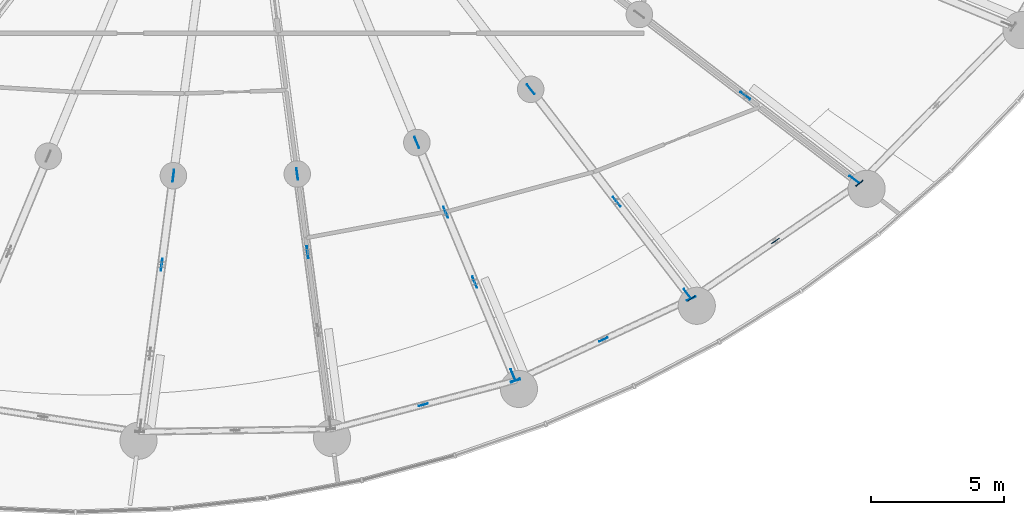
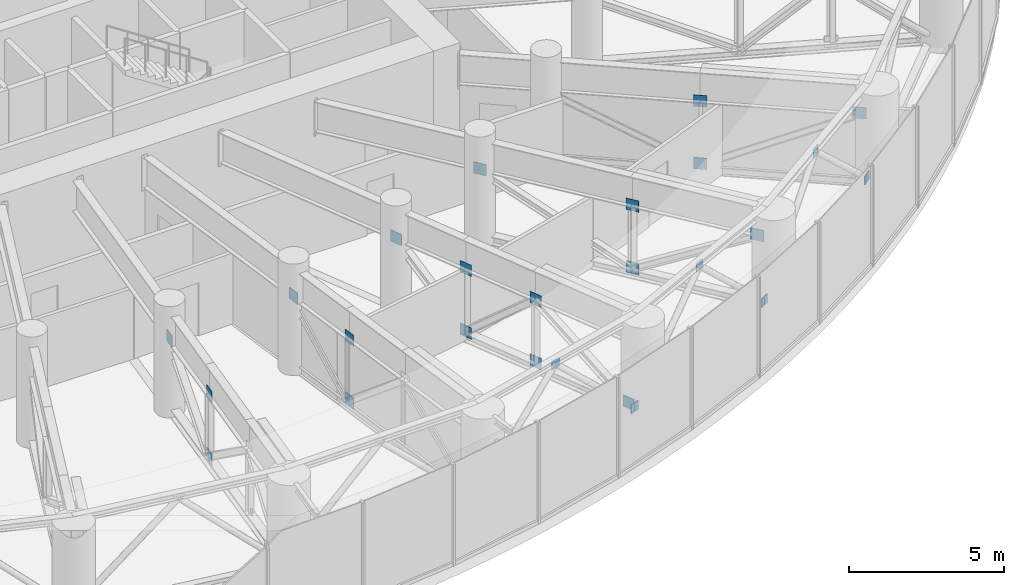
# One storey, part 30 of 42: 28 discrete accessories.
"""IFC4 building model written with IfcOpenShell, lengths in metres."""

from ifc_helpers import new_model, si_unit, direction, frame, origin, origin_2d, place, context, subcontext, project, spatial, rectangle, extrude, source, transform, mapped, material, layer, layer_set, type_object, element, save


model = new_model("IFC4")

# Units and contexts
model_context = context("Model", 3, precision=1e-05, world=origin(), true_north=direction((0.0, 1.0)))
body_context = subcontext(model_context, "Body", "Model", "MODEL_VIEW")
ifc_project = project(units=[si_unit("LENGTHUNIT", "METRE"), si_unit("AREAUNIT", "SQUARE_METRE"), si_unit("VOLUMEUNIT", "CUBIC_METRE"), si_unit("PLANEANGLEUNIT", "RADIAN"), si_unit("MASSUNIT", "GRAM", prefix="KILO")], contexts=[model_context])

# Site, building, storey
site_placement = place(None, origin())
site = spatial("IfcSite", under=ifc_project, at=site_placement, CompositionType="ELEMENT")
building_placement = place(site_placement, origin())
building = spatial("IfcBuilding", under=site, at=building_placement, Name="Spindrift Exchange Tower", CompositionType="ELEMENT")
storey_placement = place(building_placement, frame((0.0, 0.0, 75.39990234375)))
storey = spatial("IfcBuildingStorey", under=building, at=storey_placement, Name="L17", CompositionType="ELEMENT", Elevation=75.39990234375)

# Discrete accessories
ifc_material = material(Name="Steel Grade 350", Category="steel")
ifc_layer_1 = layer(ifc_material, 0.02490234375)
ifc_layer_set_1 = layer_set([ifc_layer_1], Name="Gusset plate 450x450x25 Steel Grade 350")
discrete_accessory_type_1 = type_object("IfcDiscreteAccessoryType", Name="Gusset plate 450x450x25 Steel Grade 350", PredefinedType="USERDEFINED", material=ifc_layer_set_1)
shared_shape_1 = source(origin(), body_context, "Body", "SweptSolid", [
    extrude(rectangle(XDim=0.449951171875, YDim=0.02490234375, at=origin_2d()), origin(), (0.0, 0.0, 1.0), 0.449951171875),
])
for number, where, z_axis, x_axis, name in (
    (1, (49.660888671875, 30.232666015625, 2.5751953125), (0.0, 0.0, 1.0), (-0.130540035389, -0.991443038788, 0.0), "L17 gusset plate GP1 18"),
    (2, (49.21923828125, 26.8779296875, 0.10205078125), (0.0, 0.0, 1.0), (-0.130540035389, -0.991443038788, 0.0), "L17 gusset plate GP1 18"),
    (3, (49.21923828125, 26.8779296875, 2.5751953125), (0.0, 0.0, 1.0), (-0.13052619222, -0.991444861374, 0.0), "L17 gusset plate GP1 18"),
    (4, (54.330810546875, 30.296875, 2.5751953125), (0.0, 0.0, 1.0), (0.130505427419, -0.991447594891, 0.0), "L17 gusset plate GP1 19"),
    (5, (54.718505859375, 27.3505859375, 0.10205078125), (0.0, 0.0, 1.0), (0.130505427419, -0.991447594891, 0.0), "L17 gusset plate GP1 19"),
    (6, (54.718505859375, 27.3505859375, 2.5751953125), (0.0, 0.0, 1.0), (0.13052619222, -0.991444861374, 0.0), "L17 gusset plate GP1 19"),
    (7, (58.841796875, 31.482421875, 2.5751953125), (0.0, 0.0, 1.0), (0.382681819891, -0.923880200418, 0.0), "L17 gusset plate GP1 20"),
    (8, (59.931884765625, 28.85107421875, 0.10205078125), (0.0, 0.0, 1.0), (0.382681819891, -0.923880200418, 0.0), "L17 gusset plate GP1 20"),
    (9, (61.021728515625, 26.219482421875, 2.5751953125), (0.0, 0.0, 1.0), (0.382681819891, -0.923880200418, 0.0), "L17 gusset plate GP1 20"),
    (10, (62.46826171875, 22.727294921875, 0.10205078125), (0.0, 0.0, 1.0), (0.382670532536, -0.92388487569, 0.0), "L17 gusset plate GP1 20"),
    (11, (59.931884765625, 28.85107421875, 2.5751953125), (0.0, 0.0, 1.0), (0.382683432365, -0.923879532511, 0.0), "L17 gusset plate GP1 20"),
    (12, (61.021728515625, 26.219482421875, 0.10205078125), (0.0, 0.0, 1.0), (0.382683432365, -0.923879532511, 0.0), "L17 gusset plate GP1 20"),
    (13, (63.1337890625, 33.489990234375, 2.5751953125), (0.0, 0.0, 1.0), (0.608764198331, -0.793351215308, 0.0), "L17 gusset plate GP1 21"),
    (14, (66.382080078125, 29.257080078125, 0.10205078125), (0.0, 0.0, 1.0), (0.608764198331, -0.793351215308, 0.0), "L17 gusset plate GP1 21"),
    (15, (69.04345703125, 25.788330078125, 2.5751953125), (0.0, 0.0, 1.0), (0.608754505672, -0.793358652707, 0.0), "L17 gusset plate GP1 21"),
    (16, (66.382080078125, 29.257080078125, 2.5751953125), (0.0, 0.0, 1.0), (0.608761429009, -0.793353340291, 0.0), "L17 gusset plate GP1 21"),
    (17, (71.2197265625, 33.252197265625, 0.10205078125), (0.0, 0.0, 1.0), (0.793348027815, -0.6087683523, 0.0), "L17 gusset plate GP1 22"),
    (18, (75.34033203125, 30.09033203125, 2.5751953125), (0.0, 0.0, 1.0), (0.793357590228, -0.608755890343, 0.0), "L17 gusset plate GP1 22"),
    (19, (71.2197265625, 33.252197265625, 2.5751953125), (0.0, 0.0, 1.0), (0.793353340291, -0.608761429009, 0.0), "L17 gusset plate GP1 22"),
):
    element("IfcDiscreteAccessory", number, at=place(storey_placement, frame(where, z_axis=z_axis, x_axis=x_axis)), inside=storey, type_object=discrete_accessory_type_1, Name=name, ObjectType="Gusset plate", PredefinedType="USERDEFINED", context=body_context, shape_type="MappedRepresentation", body=[
        mapped(shared_shape_1, transform((0.0, 0.0, 0.0), scale=1.0)),
    ])
ifc_layer_2 = layer(ifc_material, 0.02001953125)
ifc_layer_set_2 = layer_set([ifc_layer_2], Name="Gusset plate 350x350x20 Steel Grade 350")
discrete_accessory_type_2 = type_object("IfcDiscreteAccessoryType", Name="Gusset plate 350x350x20 Steel Grade 350", PredefinedType="USERDEFINED", material=ifc_layer_set_2)
shared_shape_2 = source(origin(), body_context, "Body", "SweptSolid", [
    extrude(rectangle(XDim=0.35009765625, YDim=0.02001953125, at=origin_2d()), origin(), (0.0, 0.0, 1.0), 0.35009765625),
])
for number, where, z_axis, x_axis, name in (
    (20, (59.078857421875, 21.5908203125, 3.56494140625), (0.0, 0.0, 1.0), (0.967162261232, 0.254159714448, 0.0), "L17 gusset plate GP2 19"),
    (21, (62.560302734375, 22.505615234375, 0.0849609375), (0.0, 0.0, 1.0), (0.96716714057, 0.254141146219, 0.0), "L17 gusset plate GP2 19"),
    (22, (62.560302734375, 22.505615234375, 0.0849609375), (0.0, 0.0, 1.0), (0.90624212899, 0.42275903733, 0.0), "L17 gusset plate GP2 20"),
    (23, (65.875, 24.0517578125, 3.56494140625), (0.0, 0.0, 1.0), (0.90624212899, 0.42275903733, 0.0), "L17 gusset plate GP2 20"),
    (24, (69.189697265625, 25.597900390625, 0.0849609375), (0.0, 0.0, 1.0), (0.906252458671, 0.422736893532, 0.0), "L17 gusset plate GP2 20"),
    (25, (69.189697265625, 25.597900390625, 0.0849609375), (0.0, 0.0, 1.0), (0.824853092592, 0.565347128446, 0.0), "L17 gusset plate GP2 21"),
    (26, (72.360107421875, 27.77099609375, 3.56494140625), (0.0, 0.0, 1.0), (0.824853092592, 0.565347128446, 0.0), "L17 gusset plate GP2 21"),
    (27, (75.531005859375, 29.944091796875, 0.0849609375), (0.0, 0.0, 1.0), (0.824861972942, 0.565334171614, 0.0), "L17 gusset plate GP2 21"),
    (28, (75.531005859375, 29.944091796875, 0.0849609375), (0.0, 0.0, 1.0), (0.700601719532, 0.713552542276, 0.0), "L17 gusset plate GP2 22"),
):
    element("IfcDiscreteAccessory", number, at=place(storey_placement, frame(where, z_axis=z_axis, x_axis=x_axis)), inside=storey, type_object=discrete_accessory_type_2, Name=name, ObjectType="Gusset plate", PredefinedType="USERDEFINED", context=body_context, shape_type="MappedRepresentation", body=[
        mapped(shared_shape_2, transform((0.0, 0.0, 0.0), scale=1.0)),
    ])

save(model, "model.ifc")
